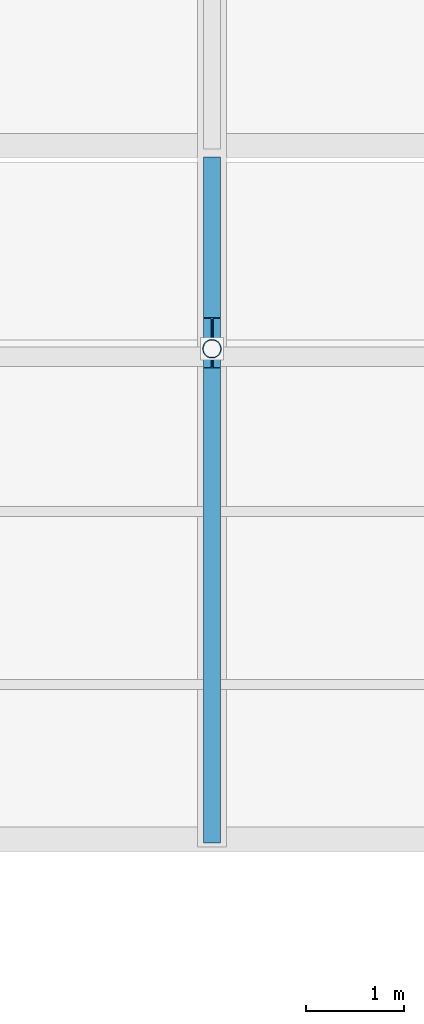
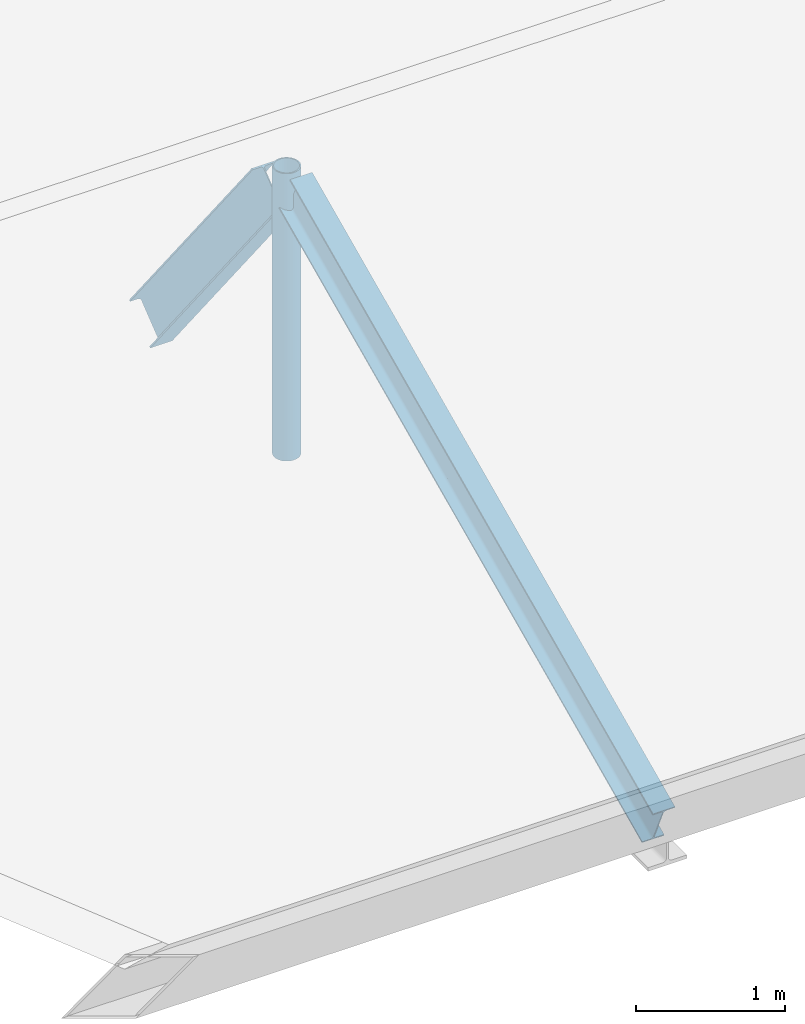
# One storey, part 73 of 138: 2 beams, 1 member.
"""IFC4 building model written with IfcOpenShell, lengths in metres."""

from ifc_helpers import new_model, si_unit, direction, frame, origin, origin_2d, place, context, subcontext, project, spatial, hollow_circle, i_section, extrude, material, material_profile, profile_set, type_object, element, save


model = new_model("IFC4")

# Units and contexts
model_context = context("Model", 3, precision=1e-05, world=origin(), true_north=direction((0.0, 1.0)))
body_context = subcontext(model_context, "Body", "Model", "MODEL_VIEW")
ifc_project = project(units=[si_unit("LENGTHUNIT", "METRE"), si_unit("AREAUNIT", "SQUARE_METRE"), si_unit("VOLUMEUNIT", "CUBIC_METRE"), si_unit("PLANEANGLEUNIT", "RADIAN"), si_unit("MASSUNIT", "GRAM", prefix="KILO")], contexts=[model_context])

# Site, building, storey
site_placement = place(None, origin())
site = spatial("IfcSite", under=ifc_project, at=site_placement, CompositionType="ELEMENT")
building_placement = place(site_placement, origin())
building = spatial("IfcBuilding", under=site, at=building_placement, Name="Vinh Khe Railworks Police Headquarters", CompositionType="ELEMENT")
storey_placement = place(building_placement, frame((0.0, 0.0, 9.0)))
storey = spatial("IfcBuildingStorey", under=building, at=storey_placement, Name="L02", CompositionType="ELEMENT", Elevation=9.0)

# Member
ifc_material = material(Name="Steel S355JR", Category="steel")
ifc_material_profile_1 = material_profile(ifc_material, hollow_circle(Radius=0.096923828125, WallThickness=0.010009765625, at=origin_2d()), Name="CHS 193.7x10")
ifc_profile_set_1 = profile_set([ifc_material_profile_1], Name="Steel S355JR")
member_type = type_object("IfcMemberType", Name="Roof Strut CHS 193.7x10", PredefinedType="STRUT", material=ifc_profile_set_1)
member_placement = place(storey_placement, frame((46.199951171875, 143.10009765625, 0.199951171875), z_axis=(0.0, 0.0, 1.0), x_axis=(1.0, 0.0, 0.0)))
element("IfcMember", 1, at=member_placement, inside=storey, type_object=member_type, Name="Sawtooth Ridge Post 1", PredefinedType="STRUT", context=body_context, shape_type="SweptSolid", body=[
    extrude(hollow_circle(Radius=0.096923828125, WallThickness=0.010009765625, at=origin_2d()), origin(), (0.0, 0.0, 1.0), 2.35009765625),
])

# Beams
ifc_material_profile_2 = material_profile(ifc_material, i_section(OverallWidth=0.169921875, OverallDepth=0.360107421875, WebThickness=0.008056640625, FlangeThickness=0.0126953125, FilletRadius=0.01806640625, at=origin_2d()), Name="IPE 360")
ifc_profile_set_2 = profile_set([ifc_material_profile_2], Name="Steel S355JR")
beam_type = type_object("IfcBeamType", Name="Steel Girder IPE 360", PredefinedType="BEAM", material=ifc_profile_set_2)
beam_1_placement = place(storey_placement, frame((46.199951171875, 138.1201171875, 0.179931640625), z_axis=(0.0, 0.908174250162, 0.418592321171), x_axis=(-1.0, 0.0, 0.0)))
element("IfcBeam", 2, at=beam_1_placement, inside=storey, type_object=beam_type, Name="Sawtooth Slope Girder 1S", PredefinedType="BEAM", context=body_context, shape_type="SweptSolid", body=[
    extrude(i_section(OverallWidth=0.169921875, OverallDepth=0.360107421875, WebThickness=0.008056640625, FlangeThickness=0.0126953125, FilletRadius=0.01806640625, at=origin_2d()), origin(), (0.0, 0.0, 1.0), 5.351318359375),
])
beam_2_placement = place(storey_placement, frame((46.199951171875, 143.280029296875, 2.25), z_axis=(0.0, 0.620956273736, -0.78384520545), x_axis=(-1.0, 0.0, 0.0)))
element("IfcBeam", 3, at=beam_2_placement, inside=storey, type_object=beam_type, Name="Sawtooth Clerestory Girder 1N", PredefinedType="BEAM", context=body_context, shape_type="SweptSolid", body=[
    extrude(i_section(OverallWidth=0.169921875, OverallDepth=0.360107421875, WebThickness=0.008056640625, FlangeThickness=0.0126953125, FilletRadius=0.01806640625, at=origin_2d()), origin(), (0.0, 0.0, 1.0), 2.640869140625),
])

save(model, "model.ifc")
